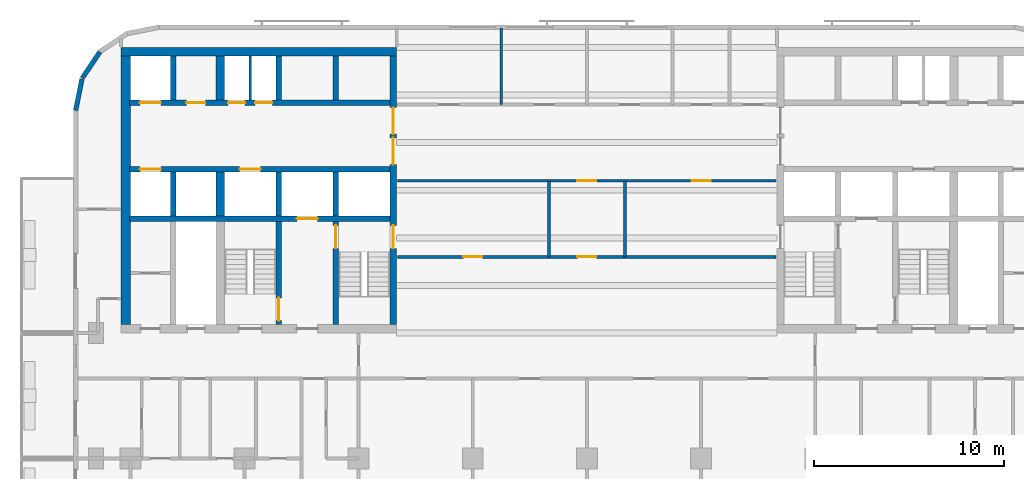
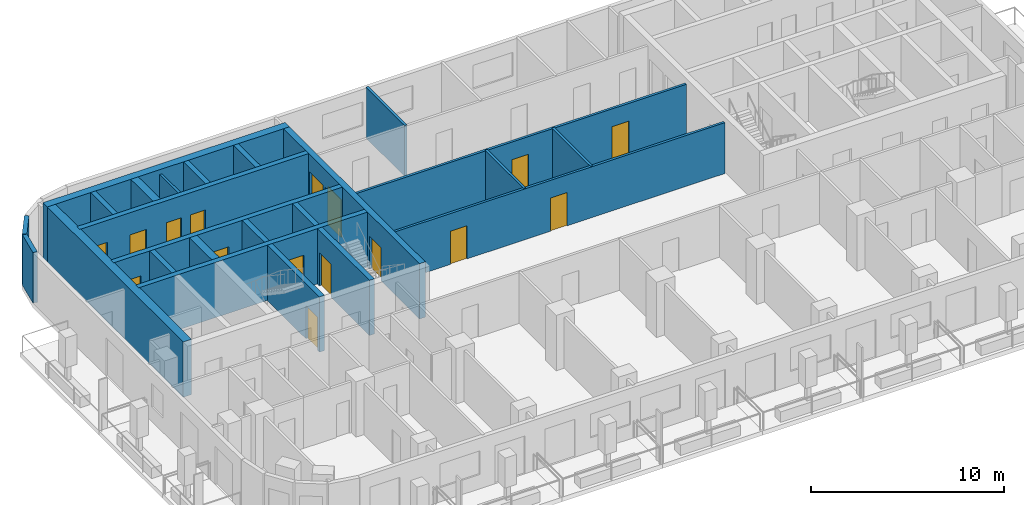
# One storey, part 4 of 11: 24 walls, 16 doors, 16 openings.
"""IFC4 building model written with IfcOpenShell, lengths in metres."""

import ifcopenshell
import ifcopenshell.guid

model = None  # the IFC model being written
_history = None  # IfcOwnerHistory: only IFC2X3 demands one
_inside = {}  # id of a spatial element -> (the spatial element, [elements in it])
_under = {}  # id of a project, library or spatial element -> (it, [spatial elements below it])
_declared = {}  # id of a project -> (the project, [libraries it declares])
_typed = {}  # id of a type object -> (the type object, [elements of that type])
_made_of = {}  # id of a material, layer set ... -> (it, [elements and type objects made of it])


def new_model(schema):
    """Start an empty IFC model of exactly this schema.

    Asked for "IFC4X3", IfcOpenShell would pick the latest addendum, in which some entities
    have other attributes; the version numbers below select the first issue.
    IFC2X3 requires an IfcOwnerHistory on every rooted entity: one is made here for all.
    """
    global model, _history
    if schema == "IFC4X3":
        model = ifcopenshell.file(schema_version=(4, 3, 0, 0))
    else:
        model = ifcopenshell.file(schema=schema)
    _inside.clear()
    _under.clear()
    _declared.clear()
    _typed.clear()
    _made_of.clear()
    _history = None
    if model.schema == "IFC2X3":
        org = make("IfcOrganization", Name="unknown")
        user = make(
            "IfcPersonAndOrganization",
            ThePerson=make("IfcPerson", FamilyName="unknown"),
            TheOrganization=org,
        )
        app = make(
            "IfcApplication",
            ApplicationDeveloper=org,
            Version="unknown",
            ApplicationFullName="unknown",
            ApplicationIdentifier="unknown",
        )
        _history = make(
            "IfcOwnerHistory",
            OwningUser=user,
            OwningApplication=app,
            ChangeAction="ADDED",
            CreationDate=0,
        )
    return model


def make(cls, **values):
    """One entity of the class cls with the attributes given. An attribute that is None is left unset."""
    return model.create_entity(
        cls, **{name: value for name, value in values.items() if value is not None}
    )


def rooted(cls, **values):
    """An entity with a GlobalId (a new one), such as an element, a storey or a relation."""
    return make(cls, GlobalId=ifcopenshell.guid.new(), OwnerHistory=_history, **values)


def si_unit(unit_type, name, prefix=None):
    """IfcSIUnit, for example si_unit("LENGTHUNIT", "METRE", prefix="MILLI")."""
    return make("IfcSIUnit", UnitType=unit_type, Prefix=prefix, Name=name)


def assignment(units):
    """IfcUnitAssignment: the units of a project."""
    return None if units is None else make("IfcUnitAssignment", Units=units)


def point(xyz):
    """IfcCartesianPoint."""
    return None if xyz is None else make("IfcCartesianPoint", Coordinates=xyz)


def direction(xyz):
    """IfcDirection."""
    return None if xyz is None else make("IfcDirection", DirectionRatios=xyz)


def frame(location, z_axis=None, x_axis=None):
    """IfcAxis2Placement3D, a coordinate frame: its origin and axes. An axis left out is left unset."""
    return make(
        "IfcAxis2Placement3D",
        Location=point(location),
        Axis=direction(z_axis),
        RefDirection=direction(x_axis),
    )


def frame_2d(location, x_axis=None):
    """IfcAxis2Placement2D, a coordinate frame in the plane: its origin and x axis."""
    return make(
        "IfcAxis2Placement2D", Location=point(location), RefDirection=direction(x_axis)
    )


def origin():
    """The frame at (0, 0, 0) with its axes left unset."""
    return frame((0.0, 0.0, 0.0))


def place(relative_to, where):
    """IfcLocalPlacement: puts the frame where relative to a parent placement (None: the world)."""
    return make(
        "IfcLocalPlacement", PlacementRelTo=relative_to, RelativePlacement=where
    )


def context(
    kind, dimensions, precision=None, world=None, true_north=None, identifier=None
):
    """IfcGeometricRepresentationContext, for example the 3D "Model" context."""
    return make(
        "IfcGeometricRepresentationContext",
        ContextIdentifier=identifier,
        ContextType=kind,
        CoordinateSpaceDimension=dimensions,
        Precision=precision,
        WorldCoordinateSystem=world,
        TrueNorth=true_north,
    )


def subcontext(parent, identifier, kind, view, scale=None):
    """IfcGeometricRepresentationSubContext, for example "Body" below "Model"."""
    return make(
        "IfcGeometricRepresentationSubContext",
        ContextIdentifier=identifier,
        ContextType=kind,
        ParentContext=parent,
        TargetScale=scale,
        TargetView=view,
    )


def project(units=None, contexts=None):
    """IfcProject with its units and contexts."""
    return rooted(
        "IfcProject",
        Name="project",
        RepresentationContexts=contexts,
        UnitsInContext=assignment(units),
    )


def spatial(cls, under=None, at=None, **own):
    """A site, building, storey or space (cls), placed at a placement, below another one or the project."""
    s = rooted(cls, ObjectPlacement=at, **own)
    if under is not None:
        _under.setdefault(under.id(), (under, []))[1].append(s)
    return s


def profile(cls, at=None, kind="AREA", **sizes):
    """A parametric profile (cls). Its sizes go by their IFC names, for example OverallWidth=200.0."""
    return make(cls, ProfileType=kind, Position=at, **sizes)


def rectangle(**sizes):
    """IfcRectangleProfileDef."""
    return profile("IfcRectangleProfileDef", **sizes)


def extrude(swept, where, along, depth):
    """IfcExtrudedAreaSolid: the profile swept, set in the frame where, extruded along a direction by depth."""
    return make(
        "IfcExtrudedAreaSolid",
        SweptArea=swept,
        Position=where,
        ExtrudedDirection=direction(along),
        Depth=depth,
    )


def shape(context_of_items, identifier, shape_type, items):
    """IfcShapeRepresentation: the items that make up one representation, for example the "Body"."""
    return make(
        "IfcShapeRepresentation",
        ContextOfItems=context_of_items,
        RepresentationIdentifier=identifier,
        RepresentationType=shape_type,
        Items=items,
    )


def material(Name=None, Category=None):
    """IfcMaterial."""
    return make("IfcMaterial", Name=Name, Category=Category)


def layer(
    of_material, thickness, ventilated=None, Name=None, Category=None, Priority=None
):
    """IfcMaterialLayer: one layer of a wall or slab, of a material (None: an air gap)."""
    return make(
        "IfcMaterialLayer",
        Material=of_material,
        LayerThickness=thickness,
        IsVentilated=ventilated,
        Name=Name,
        Category=Category,
        Priority=Priority,
    )


def layer_set(layers, Name=None):
    """IfcMaterialLayerSet."""
    return make("IfcMaterialLayerSet", MaterialLayers=layers, LayerSetName=Name)


def made_of(thing, what):
    """Note that an element or type object is made of a material, layer set ...; save() writes the relation."""
    if what is not None:
        _made_of.setdefault(what.id(), (what, []))[1].append(thing)
    return thing


def type_object(cls, material=None, **own):
    """A type object (cls), such as IfcWallType, which elements share."""
    return made_of(rooted(cls, **own), material)


def element(
    cls,
    number,
    at=None,
    inside=None,
    cuts=None,
    type_object=None,
    material=None,
    context=None,
    identifier="Body",
    shape_type=None,
    held_by="IfcProductDefinitionShape",
    body=None,
    shapes=None,
    **own,
):
    """One element of the class cls, such as IfcWall. Its Tag is "e" and its number.

    at: its placement. inside: the storey or other place that contains it. cuts: it is an
    opening in that element (IfcRelVoidsElement). A single representation is given by context,
    identifier, shape_type and body (its items); several are given by shapes. held_by: the class
    of the entity that holds the representations. save() writes the other relations.
    """
    e = rooted(cls, Tag="e%d" % number, ObjectPlacement=at, **own)
    if body is not None:
        shapes = [shape(context, identifier, shape_type, body)]
    if shapes is not None:
        e.Representation = make(held_by, Representations=shapes)
    if inside is not None:
        _inside.setdefault(inside.id(), (inside, []))[1].append(e)
    if cuts is not None:
        rooted(
            "IfcRelVoidsElement", RelatingBuildingElement=cuts, RelatedOpeningElement=e
        )
    if type_object is not None:
        _typed.setdefault(type_object.id(), (type_object, []))[1].append(e)
    return made_of(e, material)


def fill(opening, filler):
    """IfcRelFillsElement: the door or window that sits in an opening."""
    return rooted(
        "IfcRelFillsElement",
        RelatingOpeningElement=opening,
        RelatedBuildingElement=filler,
    )


def aggregate(whole, parts):
    """IfcRelAggregates: a whole, such as a stair, and the parts it consists of."""
    return rooted("IfcRelAggregates", RelatingObject=whole, RelatedObjects=parts)


def save(model, path):
    """Write the relations noted so far, then the file.

    IfcRelAggregates (storeys below a building ...), IfcRelContainedInSpatialStructure (elements
    in a storey), IfcRelDefinesByType, IfcRelAssociatesMaterial and IfcRelDeclares: one each for
    every whole, place, type object, material and project.
    """
    for whole, parts in _under.values():
        aggregate(whole, parts)
    for where, things in _inside.values():
        rooted(
            "IfcRelContainedInSpatialStructure",
            RelatedElements=things,
            RelatingStructure=where,
        )
    for kind, things in _typed.values():
        rooted("IfcRelDefinesByType", RelatedObjects=things, RelatingType=kind)
    for what, things in _made_of.values():
        rooted("IfcRelAssociatesMaterial", RelatedObjects=things, RelatingMaterial=what)
    for by, libraries in _declared.values():
        rooted("IfcRelDeclares", RelatingContext=by, RelatedDefinitions=libraries)
    model.write(path)


model = new_model("IFC4")

# Units and contexts
model_context = context("Model", 3, precision=1e-05, world=origin(), true_north=direction((0.0, 1.0)))
body_context = subcontext(model_context, "Body", "Model", "MODEL_VIEW")
ifc_project = project(units=[si_unit("LENGTHUNIT", "METRE"), si_unit("AREAUNIT", "SQUARE_METRE"), si_unit("VOLUMEUNIT", "CUBIC_METRE"), si_unit("PLANEANGLEUNIT", "RADIAN"), si_unit("MASSUNIT", "GRAM", prefix="KILO")], contexts=[model_context])

# Site, building, storey
site_placement = place(None, origin())
site = spatial("IfcSite", under=ifc_project, at=site_placement, CompositionType="ELEMENT")
building_placement = place(site_placement, origin())
building = spatial("IfcBuilding", under=site, at=building_placement, Name="Torana Hotel and Residences", CompositionType="ELEMENT")
storey_placement = place(building_placement, frame((0.0, 0.0, 243.10009765625)))
storey = spatial("IfcBuildingStorey", under=building, at=storey_placement, Name="L64", CompositionType="ELEMENT", Elevation=243.10009765625)

# Wall, openings, doors
ifc_material_1 = material(Name="Concrete C70/85", Category="concrete")
ifc_layer_1 = layer(ifc_material_1, 0.300048828125)
ifc_layer_set_1 = layer_set([ifc_layer_1], Name="CORE WALL 300 C70/85")
wall_type_1 = type_object("IfcWallType", Name="CORE WALL 300 C70/85", PredefinedType="SHEAR", material=ifc_layer_set_1)
wall_1_placement = place(storey_placement, frame((-24.050048828125, -2.89990234375, 0.0), z_axis=(0.0, 0.0, 1.0), x_axis=(1.0, 0.0, 0.0)))
wall_1 = element("IfcWall", 1, at=wall_1_placement, inside=storey, type_object=wall_type_1, Name="Core wall W row-N", PredefinedType="SHEAR", context=body_context, shape_type="SweptSolid", body=[
    extrude(rectangle(XDim=13.699951171875, YDim=0.300048828125, at=frame_2d((6.85009765625, 0.0))), origin(), (0.0, 0.0, 1.0), 3.5),
])
opening_1_placement = place(wall_1_placement, frame((0.550048828125, 0.0, 0.0)))
opening_1 = element("IfcOpeningElement", 2, at=opening_1_placement, cuts=wall_1, Name="Opening LD", PredefinedType="OPENING", context=body_context, shape_type="SweptSolid", body=[
    extrude(rectangle(XDim=1.10009765625, YDim=2.10009765625, at=frame_2d((0.550048828125, 1.050048828125))), frame((0.0, 0.159912109375, 0.0), z_axis=(0.0, -1.0, 0.0), x_axis=(1.0, 0.0, 0.0)), (0.0, 0.0, 1.0), 0.320068359375),
])
opening_2_placement = place(wall_1_placement, frame((6.612548828125, 0.0, 0.0)))
opening_2 = element("IfcOpeningElement", 3, at=opening_2_placement, cuts=wall_1, Name="Opening L64-08", PredefinedType="OPENING", context=body_context, shape_type="SweptSolid", body=[
    extrude(rectangle(XDim=0.89990234375, YDim=2.10009765625, at=frame_2d((0.449951171875, 1.050048828125))), frame((0.0, 0.159912109375, 0.0), z_axis=(0.0, -1.0, 0.0), x_axis=(1.0, 0.0, 0.0)), (0.0, 0.0, 1.0), 0.320068359375),
])
opening_3_placement = place(wall_1_placement, frame((5.1875, 0.0, 0.0)))
opening_3 = element("IfcOpeningElement", 4, at=opening_3_placement, cuts=wall_1, Name="Opening L64-09", PredefinedType="OPENING", context=body_context, shape_type="SweptSolid", body=[
    extrude(rectangle(XDim=0.89990234375, YDim=2.10009765625, at=frame_2d((0.449951171875, 1.050048828125))), frame((0.0, 0.159912109375, 0.0), z_axis=(0.0, -1.0, 0.0), x_axis=(1.0, 0.0, 0.0)), (0.0, 0.0, 1.0), 0.320068359375),
])
opening_4_placement = place(wall_1_placement, frame((3.0, 0.0, 0.0)))
opening_4 = element("IfcOpeningElement", 5, at=opening_4_placement, cuts=wall_1, Name="Opening L64-10", PredefinedType="OPENING", context=body_context, shape_type="SweptSolid", body=[
    extrude(rectangle(XDim=1.0, YDim=2.10009765625, at=frame_2d((0.5, 1.050048828125))), frame((0.0, 0.159912109375, 0.0), z_axis=(0.0, -1.0, 0.0), x_axis=(1.0, 0.0, 0.0)), (0.0, 0.0, 1.0), 0.320068359375),
])
ifc_material_2 = material(Name="Steel S235", Category="steel")
door_type_1 = type_object("IfcDoorType", Name="CORE ROOM FIRE DOOR D14 1000x2100", OperationType="SINGLE_SWING_LEFT", PredefinedType="DOOR", material=ifc_material_2)
door_1_placement = place(opening_4_placement, origin())
door_1 = element("IfcDoor", 6, at=door_1_placement, inside=storey, type_object=door_type_1, Name="Freed-S1 door L64", OperationType="SINGLE_SWING_RIGHT", OverallHeight=2.10009765625, OverallWidth=1.0, PredefinedType="DOOR", context=body_context, shape_type="SweptSolid", body=[
    extrude(rectangle(XDim=1.0, YDim=2.10009765625, at=frame_2d((0.5, 1.050048828125))), frame((0.0, 0.02490234375, 0.0), z_axis=(0.0, -1.0, 0.0), x_axis=(1.0, 0.0, 0.0)), (0.0, 0.0, 1.0), 0.050048828125),
])
fill(opening_4, door_1)
ifc_material_3 = material(Name="Stainless steel 316", Category="steel")
door_type_2 = type_object("IfcDoorType", Name="LIFT LANDING DOOR LD 1100x2100", OperationType="DOUBLE_DOOR_SLIDING", PredefinedType="USERDEFINED", material=ifc_material_3)
door_2_placement = place(opening_1_placement, origin())
door_2 = element("IfcDoor", 7, at=door_2_placement, inside=storey, type_object=door_type_2, Name="Lift landing door M1 L64", ObjectType="LIFT LANDING DOOR", OperationType="DOUBLE_DOOR_SLIDING", OverallHeight=2.10009765625, OverallWidth=1.10009765625, PredefinedType="USERDEFINED", context=body_context, shape_type="SweptSolid", body=[
    extrude(rectangle(XDim=1.10009765625, YDim=2.10009765625, at=frame_2d((0.550048828125, 1.050048828125))), frame((0.0, 0.02490234375, 0.0), z_axis=(0.0, -1.0, 0.0), x_axis=(1.0, 0.0, 0.0)), (0.0, 0.0, 1.0), 0.050048828125),
])
fill(opening_1, door_2)
ifc_material_4 = material(Name="Steel S235", Category="steel")
door_type_3 = type_object("IfcDoorType", Name="RISER ACCESS DOOR D5 900x2100", OperationType="SINGLE_SWING_LEFT", PredefinedType="DOOR", material=ifc_material_4)
door_3_placement = place(opening_2_placement, origin())
door_3 = element("IfcDoor", 8, at=door_3_placement, inside=storey, type_object=door_type_3, Name="N2A door L64", OperationType="SINGLE_SWING_RIGHT", OverallHeight=2.10009765625, OverallWidth=0.89990234375, PredefinedType="DOOR", context=body_context, shape_type="SweptSolid", body=[
    extrude(rectangle(XDim=0.89990234375, YDim=2.10009765625, at=frame_2d((0.449951171875, 1.050048828125))), frame((0.0, 0.02490234375, 0.0), z_axis=(0.0, -1.0, 0.0), x_axis=(1.0, 0.0, 0.0)), (0.0, 0.0, 1.0), 0.050048828125),
])
fill(opening_2, door_3)
door_4_placement = place(opening_3_placement, origin())
door_4 = element("IfcDoor", 9, at=door_4_placement, inside=storey, type_object=door_type_3, Name="N2B door L64", OperationType="SINGLE_SWING_RIGHT", OverallHeight=2.10009765625, OverallWidth=0.89990234375, PredefinedType="DOOR", context=body_context, shape_type="SweptSolid", body=[
    extrude(rectangle(XDim=0.89990234375, YDim=2.10009765625, at=frame_2d((0.449951171875, 1.050048828125))), frame((0.0, 0.02490234375, 0.0), z_axis=(0.0, -1.0, 0.0), x_axis=(1.0, 0.0, 0.0)), (0.0, 0.0, 1.0), 0.050048828125),
])
fill(opening_3, door_4)

wall_2_placement = place(storey_placement, frame((-24.050048828125, -6.39990234375, 0.0), z_axis=(0.0, 0.0, 1.0), x_axis=(1.0, 0.0, 0.0)))
wall_2 = element("IfcWall", 10, at=wall_2_placement, inside=storey, type_object=wall_type_1, Name="Core wall W row-S", PredefinedType="SHEAR", context=body_context, shape_type="SweptSolid", body=[
    extrude(rectangle(XDim=13.699951171875, YDim=0.300048828125, at=frame_2d((6.85009765625, 0.0))), origin(), (0.0, 0.0, 1.0), 3.5),
])
opening_5_placement = place(wall_2_placement, frame((0.550048828125, 0.0, 0.0)))
opening_5 = element("IfcOpeningElement", 11, at=opening_5_placement, cuts=wall_2, Name="Opening LD", PredefinedType="OPENING", context=body_context, shape_type="SweptSolid", body=[
    extrude(rectangle(XDim=1.10009765625, YDim=2.10009765625, at=frame_2d((0.550048828125, 1.050048828125))), frame((0.0, 0.159912109375, 0.0), z_axis=(0.0, -1.0, 0.0), x_axis=(1.0, 0.0, 0.0)), (0.0, 0.0, 1.0), 0.320068359375),
])
opening_6_placement = place(wall_2_placement, frame((5.800048828125, 0.0, 0.0)))
opening_6 = element("IfcOpeningElement", 12, at=opening_6_placement, cuts=wall_2, Name="Opening LD", PredefinedType="OPENING", context=body_context, shape_type="SweptSolid", body=[
    extrude(rectangle(XDim=1.10009765625, YDim=2.10009765625, at=frame_2d((0.550048828125, 1.050048828125))), frame((0.0, 0.159912109375, 0.0), z_axis=(0.0, -1.0, 0.0), x_axis=(1.0, 0.0, 0.0)), (0.0, 0.0, 1.0), 0.320068359375),
])
door_5_placement = place(opening_5_placement, origin())
door_5 = element("IfcDoor", 13, at=door_5_placement, inside=storey, type_object=door_type_2, Name="Lift landing door M2 L64", ObjectType="LIFT LANDING DOOR", OperationType="DOUBLE_DOOR_SLIDING", OverallHeight=2.10009765625, OverallWidth=1.10009765625, PredefinedType="USERDEFINED", context=body_context, shape_type="SweptSolid", body=[
    extrude(rectangle(XDim=1.10009765625, YDim=2.10009765625, at=frame_2d((0.550048828125, 1.050048828125))), frame((0.0, 0.02490234375, 0.0), z_axis=(0.0, -1.0, 0.0), x_axis=(1.0, 0.0, 0.0)), (0.0, 0.0, 1.0), 0.050048828125),
])
fill(opening_5, door_5)
door_6_placement = place(opening_6_placement, origin())
door_6 = element("IfcDoor", 14, at=door_6_placement, inside=storey, type_object=door_type_2, Name="Lift landing door SV1 L64", ObjectType="LIFT LANDING DOOR", OperationType="DOUBLE_DOOR_SLIDING", OverallHeight=2.10009765625, OverallWidth=1.10009765625, PredefinedType="USERDEFINED", context=body_context, shape_type="SweptSolid", body=[
    extrude(rectangle(XDim=1.10009765625, YDim=2.10009765625, at=frame_2d((0.550048828125, 1.050048828125))), frame((0.0, 0.02490234375, 0.0), z_axis=(0.0, -1.0, 0.0), x_axis=(1.0, 0.0, 0.0)), (0.0, 0.0, 1.0), 0.050048828125),
])
fill(opening_6, door_6)

# Wall, opening, door
wall_3_placement = place(storey_placement, frame((-24.050048828125, -9.0, 0.0), z_axis=(0.0, 0.0, 1.0), x_axis=(1.0, 0.0, 0.0)))
wall_3 = element("IfcWall", 15, at=wall_3_placement, inside=storey, type_object=wall_type_1, Name="Core wall W band", PredefinedType="SHEAR", context=body_context, shape_type="SweptSolid", body=[
    extrude(rectangle(XDim=13.699951171875, YDim=0.300048828125, at=frame_2d((6.85009765625, 0.0))), origin(), (0.0, 0.0, 1.0), 3.5),
])
opening_7_placement = place(wall_3_placement, frame((8.800048828125, 0.0, 0.0)))
opening_7 = element("IfcOpeningElement", 16, at=opening_7_placement, cuts=wall_3, Name="Opening LD", PredefinedType="OPENING", context=body_context, shape_type="SweptSolid", body=[
    extrude(rectangle(XDim=1.10009765625, YDim=2.10009765625, at=frame_2d((0.550048828125, 1.050048828125))), frame((0.0, 0.159912109375, 0.0), z_axis=(0.0, -1.0, 0.0), x_axis=(1.0, 0.0, 0.0)), (0.0, 0.0, 1.0), 0.320068359375),
])
door_7_placement = place(opening_7_placement, origin())
door_7 = element("IfcDoor", 17, at=door_7_placement, inside=storey, type_object=door_type_2, Name="Lift landing door FF1 L64", ObjectType="LIFT LANDING DOOR", OperationType="DOUBLE_DOOR_SLIDING", OverallHeight=2.10009765625, OverallWidth=1.10009765625, PredefinedType="USERDEFINED", context=body_context, shape_type="SweptSolid", body=[
    extrude(rectangle(XDim=1.10009765625, YDim=2.10009765625, at=frame_2d((0.550048828125, 1.050048828125))), frame((0.0, 0.02490234375, 0.0), z_axis=(0.0, -1.0, 0.0), x_axis=(1.0, 0.0, 0.0)), (0.0, 0.0, 1.0), 0.050048828125),
])
fill(opening_7, door_7)

# Walls
for number, where, z_axis, x_axis, name in (
    (18, (-13.199951171875, -2.75, 0.0), (0.0, 0.0, 1.0), (0.0, 1.0, 0.0), "Core wall W x3.05-N"),
    (19, (-13.199951171875, -8.85009765625, 0.0), (0.0, 0.0, 1.0), (0.0, 1.0, 0.0), "Core wall W x3.05-S"),
):
    element("IfcWall", number, at=place(storey_placement, frame(where, z_axis=z_axis, x_axis=x_axis)), inside=storey, type_object=wall_type_1, Name=name, PredefinedType="SHEAR", context=body_context, shape_type="SweptSolid", body=[
        extrude(rectangle(XDim=2.300048828125, YDim=0.300048828125, at=frame_2d((1.14990234375, 0.0))), origin(), (0.0, 0.0, 1.0), 3.5),
    ])

# Wall, opening, door
wall_4_placement = place(storey_placement, frame((-13.199951171875, -14.550048828125, 0.0), z_axis=(0.0, 0.0, 1.0), x_axis=(0.0, 1.0, 0.0)))
wall_4 = element("IfcWall", 20, at=wall_4_placement, inside=storey, type_object=wall_type_1, Name="Core wall W x3.05-band", PredefinedType="SHEAR", context=body_context, shape_type="SweptSolid", body=[
    extrude(rectangle(XDim=5.400146484375, YDim=0.300048828125, at=frame_2d((2.7001953125, 0.0))), origin(), (0.0, 0.0, 1.0), 3.5),
])
opening_8_placement = place(wall_4_placement, frame((4.0, 0.0, 0.0)))
opening_8 = element("IfcOpeningElement", 21, at=opening_8_placement, cuts=wall_4, Name="Opening L64-11", PredefinedType="OPENING", context=body_context, shape_type="SweptSolid", body=[
    extrude(rectangle(XDim=1.199951171875, YDim=2.10009765625, at=frame_2d((0.60009765625, 1.050048828125))), frame((0.0, 0.159912109375, 0.0), z_axis=(0.0, -1.0, 0.0), x_axis=(1.0, 0.0, 0.0)), (0.0, 0.0, 1.0), 0.320068359375),
])
ifc_material_5 = material(Name="Steel S235", Category="steel")
door_type_4 = type_object("IfcDoorType", Name="STAIR FIRE DOOR D3 1200x2100", OperationType="SINGLE_SWING_LEFT", PredefinedType="DOOR", material=ifc_material_5)
door_8_placement = place(opening_8_placement, frame((0.60009765625, 0.0, 0.0), z_axis=(0.0, 0.0, 1.0), x_axis=(-1.0, 0.0, 0.0)))
door_8 = element("IfcDoor", 22, at=door_8_placement, inside=storey, type_object=door_type_4, Name="Stair-A-lobby door L64", OperationType="SINGLE_SWING_RIGHT", OverallHeight=2.10009765625, OverallWidth=1.199951171875, PredefinedType="DOOR", context=body_context, shape_type="SweptSolid", body=[
    extrude(rectangle(XDim=1.199951171875, YDim=2.10009765625, at=frame_2d((0.0, 1.050048828125))), frame((0.0, -0.02490234375, 0.0), z_axis=(0.0, 1.0, 0.0), x_axis=(-1.0, 0.0, 0.0)), (0.0, 0.0, 1.0), 0.050048828125),
])
fill(opening_8, door_8)

# Walls
for number, where, z_axis, x_axis, name in (
    (23, (-16.199951171875, -2.75, 0.0), (0.0, 0.0, 1.0), (0.0, 1.0, 0.0), "Core wall W x6.05-N"),
    (24, (-16.199951171875, -8.85009765625, 0.0), (0.0, 0.0, 1.0), (0.0, 1.0, 0.0), "Core wall W x6.05-S"),
):
    element("IfcWall", number, at=place(storey_placement, frame(where, z_axis=z_axis, x_axis=x_axis)), inside=storey, type_object=wall_type_1, Name=name, PredefinedType="SHEAR", context=body_context, shape_type="SweptSolid", body=[
        extrude(rectangle(XDim=2.300048828125, YDim=0.300048828125, at=frame_2d((1.14990234375, 0.0))), origin(), (0.0, 0.0, 1.0), 3.5),
    ])

# Wall, opening, door
wall_5_placement = place(storey_placement, frame((-16.199951171875, -14.550048828125, 0.0), z_axis=(0.0, 0.0, 1.0), x_axis=(0.0, 1.0, 0.0)))
wall_5 = element("IfcWall", 25, at=wall_5_placement, inside=storey, type_object=wall_type_1, Name="Core wall W x6.05-band", PredefinedType="SHEAR", context=body_context, shape_type="SweptSolid", body=[
    extrude(rectangle(XDim=5.400146484375, YDim=0.300048828125, at=frame_2d((2.7001953125, 0.0))), origin(), (0.0, 0.0, 1.0), 3.5),
])
opening_9_placement = place(wall_5_placement, frame((0.199951171875, 0.0, 0.0)))
opening_9 = element("IfcOpeningElement", 26, at=opening_9_placement, cuts=wall_5, Name="Opening L64-12", PredefinedType="OPENING", context=body_context, shape_type="SweptSolid", body=[
    extrude(rectangle(XDim=1.199951171875, YDim=2.10009765625, at=frame_2d((0.60009765625, 1.050048828125))), frame((0.0, 0.159912109375, 0.0), z_axis=(0.0, -1.0, 0.0), x_axis=(1.0, 0.0, 0.0)), (0.0, 0.0, 1.0), 0.320068359375),
])
door_9_placement = place(opening_9_placement, origin())
door_9 = element("IfcDoor", 27, at=door_9_placement, inside=storey, type_object=door_type_4, Name="Stair-B-lobby door L64", OperationType="SINGLE_SWING_RIGHT", OverallHeight=2.10009765625, OverallWidth=1.199951171875, PredefinedType="DOOR", context=body_context, shape_type="SweptSolid", body=[
    extrude(rectangle(XDim=1.199951171875, YDim=2.10009765625, at=frame_2d((0.60009765625, 1.050048828125))), frame((0.0, 0.02490234375, 0.0), z_axis=(0.0, -1.0, 0.0), x_axis=(1.0, 0.0, 0.0)), (0.0, 0.0, 1.0), 0.050048828125),
])
fill(opening_9, door_9)

# Walls
for number, where, z_axis, x_axis, name in (
    (28, (-21.75, -2.75, 0.0), (0.0, 0.0, 1.0), (0.0, 1.0, 0.0), "Core wall W mm-N"),
    (29, (-21.75, -8.85009765625, 0.0), (0.0, 0.0, 1.0), (0.0, 1.0, 0.0), "Core wall W mm-S"),
):
    element("IfcWall", number, at=place(storey_placement, frame(where, z_axis=z_axis, x_axis=x_axis)), inside=storey, type_object=wall_type_1, Name=name, PredefinedType="SHEAR", context=body_context, shape_type="SweptSolid", body=[
        extrude(rectangle(XDim=2.300048828125, YDim=0.300048828125, at=frame_2d((1.14990234375, 0.0))), origin(), (0.0, 0.0, 1.0), 3.5),
    ])

# Wall, openings, doors
ifc_material_6 = material(Name="Concrete C70/85", Category="concrete")
ifc_layer_2 = layer(ifc_material_6, 0.35009765625)
ifc_layer_set_2 = layer_set([ifc_layer_2], Name="CORE WALL 350 C70/85")
wall_type_2 = type_object("IfcWallType", Name="CORE WALL 350 C70/85", PredefinedType="SHEAR", material=ifc_layer_set_2)
wall_6_placement = place(storey_placement, frame((-10.175048828125, -14.550048828125, 0.0), z_axis=(0.0, 0.0, 1.0), x_axis=(0.0, 1.0, 0.0)))
wall_6 = element("IfcWall", 30, at=wall_6_placement, inside=storey, type_object=wall_type_2, Name="Core wall W arch", PredefinedType="SHEAR", context=body_context, shape_type="SweptSolid", body=[
    extrude(rectangle(XDim=14.10009765625, YDim=0.35009765625, at=frame_2d((7.050048828125, 0.0))), origin(), (0.0, 0.0, 1.0), 3.5),
])
opening_10_placement = place(wall_6_placement, frame((8.39990234375, 0.0, 0.0)))
opening_10 = element("IfcOpeningElement", 31, at=opening_10_placement, cuts=wall_6, Name="Opening L64-01", PredefinedType="OPENING", context=body_context, shape_type="SweptSolid", body=[
    extrude(rectangle(XDim=1.39990234375, YDim=2.39990234375, at=frame_2d((0.699951171875, 1.199951171875))), frame((0.0, 0.18505859375, 0.0), z_axis=(0.0, -1.0, 0.0), x_axis=(1.0, 0.0, 0.0)), (0.0, 0.0, 1.0), 0.3701171875),
])
opening_11_placement = place(wall_6_placement, frame((10.0, 0.0, 0.0)))
opening_11 = element("IfcOpeningElement", 32, at=opening_11_placement, cuts=wall_6, Name="Opening L64-02", PredefinedType="OPENING", context=body_context, shape_type="SweptSolid", body=[
    extrude(rectangle(XDim=1.39990234375, YDim=2.39990234375, at=frame_2d((0.699951171875, 1.199951171875))), frame((0.0, 0.18505859375, 0.0), z_axis=(0.0, -1.0, 0.0), x_axis=(1.0, 0.0, 0.0)), (0.0, 0.0, 1.0), 0.3701171875),
])
opening_12_placement = place(wall_6_placement, frame((4.0, 0.0, 0.0)))
opening_12 = element("IfcOpeningElement", 33, at=opening_12_placement, cuts=wall_6, Name="Opening L64-03", PredefinedType="OPENING", context=body_context, shape_type="SweptSolid", body=[
    extrude(rectangle(XDim=1.199951171875, YDim=2.10009765625, at=frame_2d((0.60009765625, 1.050048828125))), frame((0.0, 0.18505859375, 0.0), z_axis=(0.0, -1.0, 0.0), x_axis=(1.0, 0.0, 0.0)), (0.0, 0.0, 1.0), 0.3701171875),
])
ifc_material_7 = material(Name="Steel S235", Category="steel")
door_type_5 = type_object("IfcDoorType", Name="LOBBY FIRE DOOR D4 1400x2400", OperationType="DOUBLE_DOOR_SINGLE_SWING", PredefinedType="DOOR", material=ifc_material_7)
door_10_placement = place(opening_10_placement, origin())
door_10 = element("IfcDoor", 34, at=door_10_placement, inside=storey, type_object=door_type_5, Name="Lobby-1 door L64", OperationType="DOUBLE_DOOR_SINGLE_SWING", OverallHeight=2.39990234375, OverallWidth=1.39990234375, PredefinedType="DOOR", context=body_context, shape_type="SweptSolid", body=[
    extrude(rectangle(XDim=1.39990234375, YDim=2.39990234375, at=frame_2d((0.699951171875, 1.199951171875))), frame((0.0, 0.02490234375, 0.0), z_axis=(0.0, -1.0, 0.0), x_axis=(1.0, 0.0, 0.0)), (0.0, 0.0, 1.0), 0.050048828125),
])
fill(opening_10, door_10)
door_11_placement = place(opening_11_placement, origin())
door_11 = element("IfcDoor", 35, at=door_11_placement, inside=storey, type_object=door_type_5, Name="Lobby-2 door L64", OperationType="DOUBLE_DOOR_SINGLE_SWING", OverallHeight=2.39990234375, OverallWidth=1.39990234375, PredefinedType="DOOR", context=body_context, shape_type="SweptSolid", body=[
    extrude(rectangle(XDim=1.39990234375, YDim=2.39990234375, at=frame_2d((0.699951171875, 1.199951171875))), frame((0.0, 0.02490234375, 0.0), z_axis=(0.0, -1.0, 0.0), x_axis=(1.0, 0.0, 0.0)), (0.0, 0.0, 1.0), 0.050048828125),
])
fill(opening_11, door_11)
door_12_placement = place(opening_12_placement, origin())
door_12 = element("IfcDoor", 36, at=door_12_placement, inside=storey, type_object=door_type_4, Name="Stair-A door L64", OperationType="SINGLE_SWING_LEFT", OverallHeight=2.10009765625, OverallWidth=1.199951171875, PredefinedType="DOOR", context=body_context, shape_type="SweptSolid", body=[
    extrude(rectangle(XDim=1.199951171875, YDim=2.10009765625, at=frame_2d((0.60009765625, 1.050048828125))), frame((0.0, 0.02490234375, 0.0), z_axis=(0.0, -1.0, 0.0), x_axis=(1.0, 0.0, 0.0)), (0.0, 0.0, 1.0), 0.050048828125),
])
fill(opening_12, door_12)

# Walls
ifc_material_8 = material(Name="Concrete C70/85", Category="concrete")
ifc_layer_3 = layer(ifc_material_8, 0.449951171875)
ifc_layer_set_3 = layer_set([ifc_layer_3], Name="CORE WALL 450 C70/85")
wall_type_3 = type_object("IfcWallType", Name="CORE WALL 450 C70/85", PredefinedType="SHEAR", material=ifc_layer_set_3)
wall_7_placement = place(storey_placement, frame((-24.5, -0.22509765625, 0.0), z_axis=(0.0, 0.0, 1.0), x_axis=(1.0, 0.0, 0.0)))
element("IfcWall", 37, at=wall_7_placement, inside=storey, type_object=wall_type_3, Name="Core wall W rear", PredefinedType="SHEAR", context=body_context, shape_type="SweptSolid", body=[
    extrude(rectangle(XDim=14.5, YDim=0.449951171875, at=frame_2d((7.25, 0.0))), origin(), (0.0, 0.0, 1.0), 3.5),
])
for number, where, z_axis, x_axis, name in (
    (38, (-19.27490234375, -2.75, 0.0), (0.0, 0.0, 1.0), (0.0, 1.0, 0.0), "Core wall W hm-N"),
    (39, (-19.27490234375, -8.85009765625, 0.0), (0.0, 0.0, 1.0), (0.0, 1.0, 0.0), "Core wall W hm-S"),
):
    element("IfcWall", number, at=place(storey_placement, frame(where, z_axis=z_axis, x_axis=x_axis)), inside=storey, type_object=wall_type_3, Name=name, PredefinedType="SHEAR", context=body_context, shape_type="SweptSolid", body=[
        extrude(rectangle(XDim=2.300048828125, YDim=0.449951171875, at=frame_2d((1.14990234375, 0.0))), origin(), (0.0, 0.0, 1.0), 3.5),
    ])
ifc_material_9 = material(Name="Concrete C70/85", Category="concrete")
ifc_layer_4 = layer(ifc_material_9, 0.5)
ifc_layer_set_4 = layer_set([ifc_layer_4], Name="CORE WALL 500 C70/85")
wall_type_4 = type_object("IfcWallType", Name="CORE WALL 500 C70/85", PredefinedType="SHEAR", material=ifc_layer_set_4)
wall_8_placement = place(storey_placement, frame((-24.25, -14.550048828125, 0.0), z_axis=(0.0, 0.0, 1.0), x_axis=(0.0, 1.0, 0.0)))
element("IfcWall", 40, at=wall_8_placement, inside=storey, type_object=wall_type_4, Name="Core wall W outer", PredefinedType="SHEAR", context=body_context, shape_type="SweptSolid", body=[
    extrude(rectangle(XDim=14.10009765625, YDim=0.5, at=frame_2d((7.050048828125, 0.0))), origin(), (0.0, 0.0, 1.0), 3.5),
])
ifc_material_10 = material(Name="Black aluminium composite panel", Category="aluminium")
ifc_layer_5 = layer(ifc_material_10, 0.00390625, Name="Cladding", Category="cladding")
ifc_material_11 = material(Name="Ventilated air cavity")
ifc_layer_6 = layer(ifc_material_11, 0.0400390625, Name="Ventilated cavity", Category="cavity")
ifc_material_12 = material(Name="Mineral wool insulation")
ifc_layer_7 = layer(ifc_material_12, 0.090087890625, Name="Insulation", Category="insulation")
ifc_material_13 = material(Name="Steel S280GD", Category="steel")
ifc_layer_8 = layer(ifc_material_13, 0.092041015625, Name="Steel stud frame", Category="structure")
ifc_material_14 = material(Name="Fire rated plasterboard")
ifc_layer_9 = layer(ifc_material_14, 0.011962890625, Name="Inner board", Category="finish")
ifc_layer_10 = layer(ifc_material_14, 0.011962890625, Name="Second board", Category="finish")
ifc_layer_set_5 = layer_set([ifc_layer_5, ifc_layer_6, ifc_layer_7, ifc_layer_8, ifc_layer_9, ifc_layer_10], Name="EW1 EXTERNAL WALL BLACK METAL CLAD 250")
wall_type_5 = type_object("IfcWallType", Name="EW1 EXTERNAL WALL BLACK METAL CLAD 250", PredefinedType="SOLIDWALL", material=ifc_layer_set_5)
wall_9_placement = place(storey_placement, frame((-25.605712890625, -0.228759765625, 0.0), z_axis=(0.0, 0.0, 1.0), x_axis=(-0.55555029066, -0.831482937015, 0.0)))
element("IfcWall", 41, at=wall_9_placement, inside=storey, type_object=wall_type_5, Name="External wall L64 e0.7", PredefinedType="SOLIDWALL", context=body_context, shape_type="SweptSolid", body=[
    extrude(rectangle(XDim=1.65625, YDim=0.25, at=frame_2d((0.828125, 0.0))), origin(), (0.0, 0.0, 1.0), 3.199951171875),
])
wall_10_placement = place(storey_placement, frame((-26.544677734375, -1.651123046875, 0.0), z_axis=(0.0, 0.0, 1.0), x_axis=(-0.194999110559, -0.980803419081, 0.0)))
element("IfcWall", 42, at=wall_10_placement, inside=storey, type_object=wall_type_5, Name="External wall L64 e0.8", PredefinedType="SOLIDWALL", context=body_context, shape_type="SweptSolid", body=[
    extrude(rectangle(XDim=1.681396484375, YDim=0.25, at=frame_2d((0.8408203125, 0.0))), origin(), (0.0, 0.0, 1.0), 3.199951171875),
])
ifc_material_15 = material(Name="Gypsum plaster")
ifc_layer_11 = layer(ifc_material_15, 0.014892578125, Name="Plaster", Category="finish")
ifc_material_16 = material(Name="Concrete blockwork", Category="masonry")
ifc_layer_12 = layer(ifc_material_16, 0.1201171875, Name="Blockwork", Category="structure")
ifc_layer_13 = layer(ifc_material_15, 0.014892578125, Name="Plaster", Category="finish")
ifc_layer_set_6 = layer_set([ifc_layer_11, ifc_layer_12, ifc_layer_13], Name="FIRE PARTITION 150 BLOCKWORK")
wall_type_6 = type_object("IfcWallType", Name="FIRE PARTITION 150 BLOCKWORK", PredefinedType="PARTITIONING", material=ifc_layer_set_6)
wall_11_placement = place(storey_placement, frame((-17.699951171875, -2.75, 0.0), z_axis=(0.0, 0.0, 1.0), x_axis=(0.0, 1.0, 0.0)))
element("IfcWall", 43, at=wall_11_placement, inside=storey, type_object=wall_type_6, Name="Core partition L64", PredefinedType="PARTITIONING", context=body_context, shape_type="SweptSolid", body=[
    extrude(rectangle(XDim=2.300048828125, YDim=0.14990234375, at=frame_2d((1.14990234375, 0.0))), origin(), (0.0, 0.0, 1.0), 3.199951171875),
])
for number, where, z_axis, x_axis, name in (
    (44, (2.0, -11.0, 0.0), (0.0, 0.0, 1.0), (0.0, 1.0, 0.0), "Partition L64"),
    (45, (-2.0, -11.0, 0.0), (0.0, 0.0, 1.0), (0.0, 1.0, 0.0), "Partition L64"),
):
    element("IfcWall", number, at=place(storey_placement, frame(where, z_axis=z_axis, x_axis=x_axis)), inside=storey, type_object=wall_type_6, Name=name, PredefinedType="PARTITIONING", context=body_context, shape_type="SweptSolid", body=[
        extrude(rectangle(XDim=4.0, YDim=0.14990234375, at=frame_2d((2.0, 0.0))), origin(), (0.0, 0.0, 1.0), 3.219970703125),
    ])

# Wall, openings, doors
wall_12_placement = place(storey_placement, frame((-9.949951171875, -11.0, 0.0), z_axis=(0.0, 0.0, 1.0), x_axis=(1.0, 0.0, 0.0)))
wall_12 = element("IfcWall", 46, at=wall_12_placement, inside=storey, type_object=wall_type_6, Name="Partition L64", PredefinedType="PARTITIONING", context=body_context, shape_type="SweptSolid", body=[
    extrude(rectangle(XDim=19.89990234375, YDim=0.14990234375, at=frame_2d((9.949951171875, 0.0))), origin(), (0.0, 0.0, 1.0), 3.219970703125),
])
opening_13_placement = place(wall_12_placement, frame((9.449951171875, 0.0, 0.0)))
opening_13 = element("IfcOpeningElement", 47, at=opening_13_placement, cuts=wall_12, Name="Opening L64-36", PredefinedType="OPENING", context=body_context, shape_type="SweptSolid", body=[
    extrude(rectangle(XDim=1.0, YDim=2.10009765625, at=frame_2d((0.5, 1.050048828125))), frame((0.0, 0.0849609375, 0.0), z_axis=(0.0, -1.0, 0.0), x_axis=(1.0, 0.0, 0.0)), (0.0, 0.0, 1.0), 0.169921875),
])
opening_14_placement = place(wall_12_placement, frame((3.449951171875, 0.0, 0.0)))
opening_14 = element("IfcOpeningElement", 48, at=opening_14_placement, cuts=wall_12, Name="Opening L64-41", PredefinedType="OPENING", context=body_context, shape_type="SweptSolid", body=[
    extrude(rectangle(XDim=1.0, YDim=2.10009765625, at=frame_2d((0.5, 1.050048828125))), frame((0.0, 0.0849609375, 0.0), z_axis=(0.0, -1.0, 0.0), x_axis=(1.0, 0.0, 0.0)), (0.0, 0.0, 1.0), 0.169921875),
])
ifc_material_17 = material(Name="Steel S235", Category="steel")
door_type_6 = type_object("IfcDoorType", Name="ENTRY FIRE DOOR D6 1000x2100", OperationType="SINGLE_SWING_LEFT", PredefinedType="DOOR", material=ifc_material_17)
door_13_placement = place(opening_13_placement, origin())
door_13 = element("IfcDoor", 49, at=door_13_placement, inside=storey, type_object=door_type_6, Name="Door L64", OperationType="SINGLE_SWING_RIGHT", OverallHeight=2.10009765625, OverallWidth=1.0, PredefinedType="DOOR", context=body_context, shape_type="SweptSolid", body=[
    extrude(rectangle(XDim=1.0, YDim=2.10009765625, at=frame_2d((0.5, 1.050048828125))), frame((0.0, 0.02490234375, 0.0), z_axis=(0.0, -1.0, 0.0), x_axis=(1.0, 0.0, 0.0)), (0.0, 0.0, 1.0), 0.050048828125),
])
fill(opening_13, door_13)
door_14_placement = place(opening_14_placement, origin())
door_14 = element("IfcDoor", 50, at=door_14_placement, inside=storey, type_object=door_type_6, Name="Door L64", OperationType="SINGLE_SWING_RIGHT", OverallHeight=2.10009765625, OverallWidth=1.0, PredefinedType="DOOR", context=body_context, shape_type="SweptSolid", body=[
    extrude(rectangle(XDim=1.0, YDim=2.10009765625, at=frame_2d((0.5, 1.050048828125))), frame((0.0, 0.02490234375, 0.0), z_axis=(0.0, -1.0, 0.0), x_axis=(1.0, 0.0, 0.0)), (0.0, 0.0, 1.0), 0.050048828125),
])
fill(opening_14, door_14)

wall_13_placement = place(storey_placement, frame((-9.949951171875, -7.0, 0.0), z_axis=(0.0, 0.0, 1.0), x_axis=(1.0, 0.0, 0.0)))
wall_13 = element("IfcWall", 51, at=wall_13_placement, inside=storey, type_object=wall_type_6, Name="Partition L64", PredefinedType="PARTITIONING", context=body_context, shape_type="SweptSolid", body=[
    extrude(rectangle(XDim=19.89990234375, YDim=0.14990234375, at=frame_2d((9.949951171875, 0.0))), origin(), (0.0, 0.0, 1.0), 3.219970703125),
])
opening_15_placement = place(wall_13_placement, frame((9.449951171875, 0.0, 0.0)))
opening_15 = element("IfcOpeningElement", 52, at=opening_15_placement, cuts=wall_13, Name="Opening L64-42", PredefinedType="OPENING", context=body_context, shape_type="SweptSolid", body=[
    extrude(rectangle(XDim=1.0, YDim=2.10009765625, at=frame_2d((0.5, 1.050048828125))), frame((0.0, 0.0849609375, 0.0), z_axis=(0.0, -1.0, 0.0), x_axis=(1.0, 0.0, 0.0)), (0.0, 0.0, 1.0), 0.169921875),
])
opening_16_placement = place(wall_13_placement, frame((15.449951171875, 0.0, 0.0)))
opening_16 = element("IfcOpeningElement", 53, at=opening_16_placement, cuts=wall_13, Name="Opening L64-43", PredefinedType="OPENING", context=body_context, shape_type="SweptSolid", body=[
    extrude(rectangle(XDim=1.0, YDim=2.10009765625, at=frame_2d((0.5, 1.050048828125))), frame((0.0, 0.0849609375, 0.0), z_axis=(0.0, -1.0, 0.0), x_axis=(1.0, 0.0, 0.0)), (0.0, 0.0, 1.0), 0.169921875),
])
door_15_placement = place(opening_15_placement, origin())
door_15 = element("IfcDoor", 54, at=door_15_placement, inside=storey, type_object=door_type_6, Name="Door L64", OperationType="SINGLE_SWING_RIGHT", OverallHeight=2.10009765625, OverallWidth=1.0, PredefinedType="DOOR", context=body_context, shape_type="SweptSolid", body=[
    extrude(rectangle(XDim=1.0, YDim=2.10009765625, at=frame_2d((0.5, 1.050048828125))), frame((0.0, 0.02490234375, 0.0), z_axis=(0.0, -1.0, 0.0), x_axis=(1.0, 0.0, 0.0)), (0.0, 0.0, 1.0), 0.050048828125),
])
fill(opening_15, door_15)
door_16_placement = place(opening_16_placement, frame((0.5, 0.0, 0.0), z_axis=(0.0, 0.0, 1.0), x_axis=(-1.0, 0.0, 0.0)))
door_16 = element("IfcDoor", 55, at=door_16_placement, inside=storey, type_object=door_type_6, Name="Door L64", OperationType="SINGLE_SWING_LEFT", OverallHeight=2.10009765625, OverallWidth=1.0, PredefinedType="DOOR", context=body_context, shape_type="SweptSolid", body=[
    extrude(rectangle(XDim=1.0, YDim=2.10009765625, at=frame_2d((0.0, 1.050048828125))), frame((0.0, -0.02490234375, 0.0), z_axis=(0.0, 1.0, 0.0), x_axis=(-1.0, 0.0, 0.0)), (0.0, 0.0, 1.0), 0.050048828125),
])
fill(opening_16, door_16)

# Wall
ifc_material_18 = material(Name="Gypsum plasterboard")
ifc_layer_14 = layer(ifc_material_18, 0.012451171875, Name="Plasterboard", Category="finish")
ifc_layer_15 = layer(ifc_material_18, 0.012451171875, Name="Plasterboard", Category="finish")
ifc_layer_16 = layer(ifc_material_13, 0.10009765625, Name="Steel studs with mineral wool", Category="insulation")
ifc_layer_17 = layer(ifc_material_18, 0.012451171875, Name="Plasterboard", Category="finish")
ifc_layer_18 = layer(ifc_material_18, 0.012451171875, Name="Plasterboard", Category="finish")
ifc_layer_set_7 = layer_set([ifc_layer_14, ifc_layer_15, ifc_layer_16, ifc_layer_17, ifc_layer_18], Name="PARTITION 150 PLASTERBOARD")
wall_type_7 = type_object("IfcWallType", Name="PARTITION 150 PLASTERBOARD", PredefinedType="PARTITIONING", material=ifc_layer_set_7)
wall_14_placement = place(storey_placement, frame((-4.5, -3.0, 0.0), z_axis=(0.0, 0.0, 1.0), x_axis=(0.0, 1.0, 0.0)))
element("IfcWall", 56, at=wall_14_placement, inside=storey, type_object=wall_type_7, Name="Partition L64", PredefinedType="PARTITIONING", context=body_context, shape_type="SweptSolid", body=[
    extrude(rectangle(XDim=4.02001953125, YDim=0.14990234375, at=frame_2d((2.010009765625, 0.0))), origin(), (0.0, 0.0, 1.0), 3.219970703125),
])

save(model, "model.ifc")
